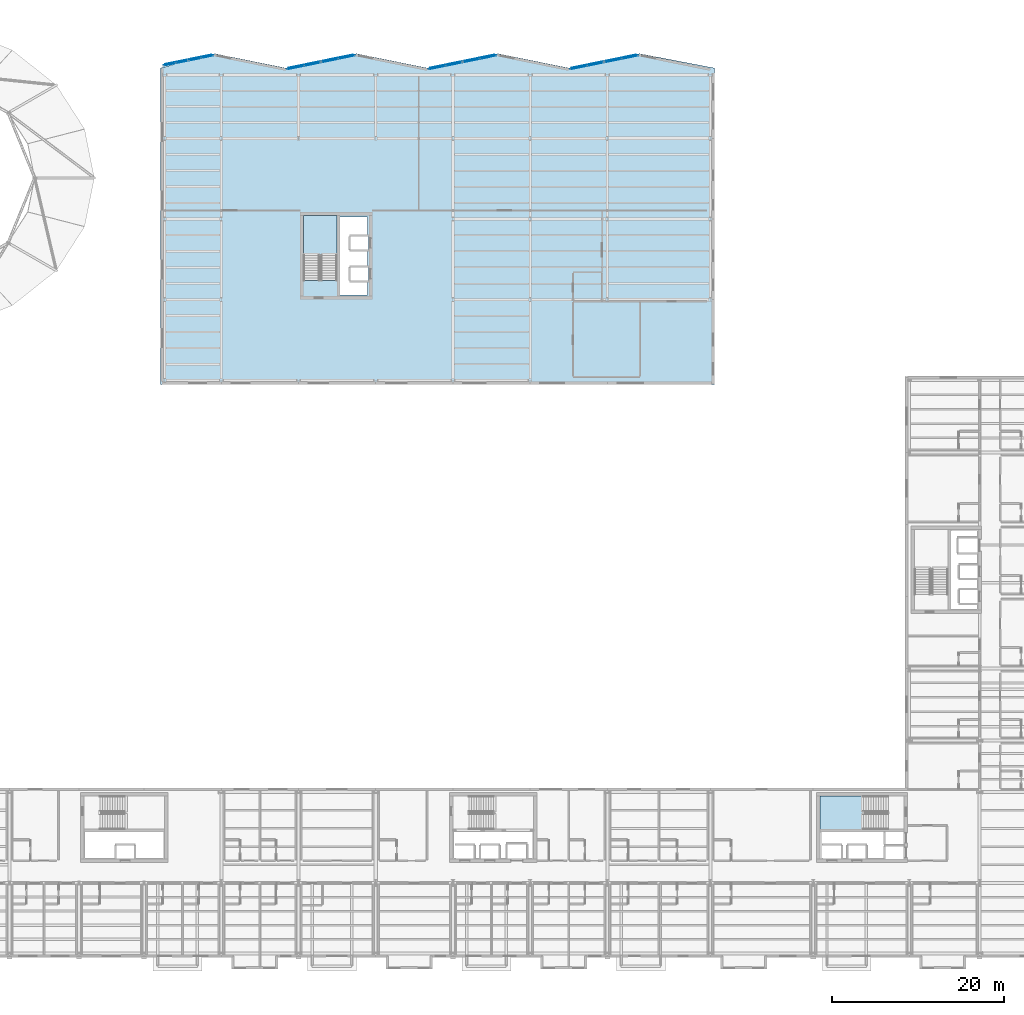
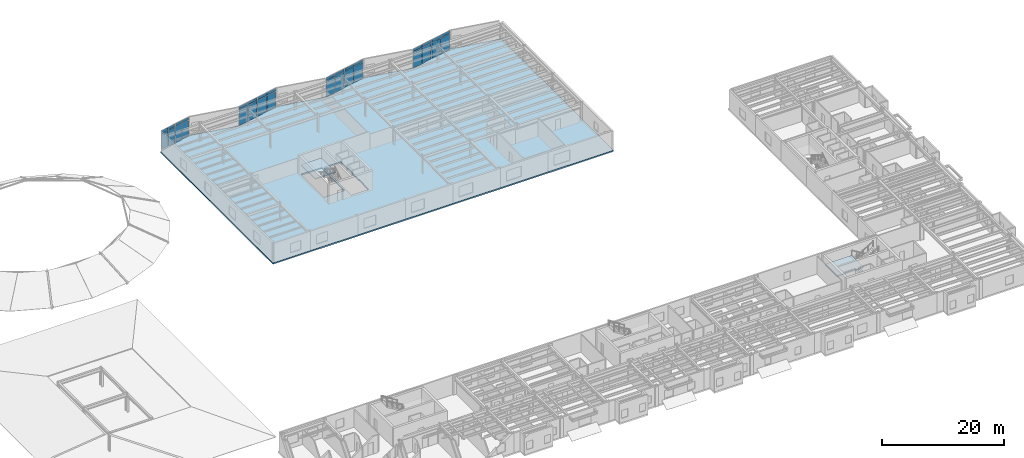
# One storey, part 21 of 46: 36 plates, 3 slabs, 10 elements without a shape of their own.
"""IFC4 building model written with IfcOpenShell, lengths in metres."""

from ifc_helpers import new_model, si_unit, direction, frame, origin, origin_2d, place, context, subcontext, project, spatial, polyline, rectangle, outline, extrude, material, layer, layer_set, type_object, element, aggregate, save


model = new_model("IFC4")

# Units and contexts
model_context = context("Model", 3, precision=1e-05, world=origin(), true_north=direction((0.0, 1.0)))
body_context = subcontext(model_context, "Body", "Model", "MODEL_VIEW")
ifc_project = project(units=[si_unit("LENGTHUNIT", "METRE"), si_unit("AREAUNIT", "SQUARE_METRE"), si_unit("VOLUMEUNIT", "CUBIC_METRE"), si_unit("PLANEANGLEUNIT", "RADIAN"), si_unit("MASSUNIT", "GRAM", prefix="KILO")], contexts=[model_context])

# Site, building, storey
site_placement = place(None, origin())
site = spatial("IfcSite", under=ifc_project, at=site_placement, CompositionType="ELEMENT")
building_placement = place(site_placement, origin())
building = spatial("IfcBuilding", under=site, at=building_placement, Name="Sollismere Congress Hotel", CompositionType="ELEMENT")
storey_placement = place(building_placement, frame((0.0, 0.0, 19.5)))
storey = spatial("IfcBuildingStorey", under=building, at=storey_placement, Name="L04", CompositionType="ELEMENT", Elevation=19.5)

# Curtain wall, plates
ifc_material_1 = material(Name="Anodized Bronze Curtain Wall & Low-E Triple Glazing", Category="glass")
ifc_layer_1 = layer(ifc_material_1, 0.199951171875, Name="Anodized Bronze Curtain Wall & Low-E Triple Glazing")
ifc_layer_set_1 = layer_set([ifc_layer_1], Name="Anodized Bronze Curtain Wall & Low-E Triple Glazing")
curtain_wall_type = type_object("IfcCurtainWallType", Name="CW-GLZ36", PredefinedType="USERDEFINED", material=ifc_layer_set_1)
curtain_wall_1_placement = place(storey_placement, origin())
curtain_wall_1 = element("IfcCurtainWall", 1, at=curtain_wall_1_placement, inside=storey, type_object=curtain_wall_type, Name="Unitised curtain wall CW-L04-113", ObjectType="UNITISED CURTAIN WALL", PredefinedType="USERDEFINED")
ifc_material_2 = material(Name="Blue-Tinted Solar-Control Low-E Vision Glass", Category="glass")
ifc_layer_2 = layer(ifc_material_2, 0.035888671875, Name="Blue-Tinted Solar-Control Low-E Vision Glass")
ifc_layer_set_2 = layer_set([ifc_layer_2], Name="Blue-Tinted Solar-Control Low-E Vision Glass")
plate_type_1 = type_object("IfcPlateType", Name="PL-CWGLZ", PredefinedType="CURTAIN_PANEL", material=ifc_layer_set_2)
plate_1_placement = place(storey_placement, frame((60.9755859375, 103.62548828125, 0.052978515625), z_axis=(0.0, 0.0, 1.0), x_axis=(0.979924704621, 0.199367934417, 0.0)))
plate_1 = element("IfcPlate", 2, at=plate_1_placement, type_object=plate_type_1, Name="CWL-CW-L04-113-VP01", PredefinedType="CURTAIN_PANEL", context=body_context, shape_type="SweptSolid", body=[
    extrude(rectangle(XDim=1.419921875, YDim=0.035888671875, at=origin_2d()), origin(), (0.0, 0.0, 1.0), 3.1650390625),
])
plate_2_placement = place(storey_placement, frame((62.4169921875, 103.918701171875, 0.052978515625), z_axis=(0.0, 0.0, 1.0), x_axis=(0.979924704621, 0.199367934417, 0.0)))
plate_2 = element("IfcPlate", 3, at=plate_2_placement, type_object=plate_type_1, Name="CWL-CW-L04-113-VP02", PredefinedType="CURTAIN_PANEL", context=body_context, shape_type="SweptSolid", body=[
    extrude(rectangle(XDim=1.419921875, YDim=0.035888671875, at=origin_2d()), origin(), (0.0, 0.0, 1.0), 3.1650390625),
])

curtain_wall_2_placement = place(storey_placement, origin())
curtain_wall_2 = element("IfcCurtainWall", 4, at=curtain_wall_2_placement, inside=storey, type_object=curtain_wall_type, Name="Unitised curtain wall CW-L04-114", ObjectType="UNITISED CURTAIN WALL", PredefinedType="USERDEFINED")
plate_3_placement = place(storey_placement, frame((63.93310546875, 104.22705078125, 0.052978515625), z_axis=(0.0, 0.0, 1.0), x_axis=(0.979924704621, 0.199367934417, 0.0)))
plate_3 = element("IfcPlate", 5, at=plate_3_placement, type_object=plate_type_1, Name="CWL-CW-L04-114-VP01", PredefinedType="CURTAIN_PANEL", context=body_context, shape_type="SweptSolid", body=[
    extrude(rectangle(XDim=1.419921875, YDim=0.035888671875, at=origin_2d()), origin(), (0.0, 0.0, 1.0), 3.1650390625),
])
plate_4_placement = place(storey_placement, frame((65.37451171875, 104.5205078125, 0.052978515625), z_axis=(0.0, 0.0, 1.0), x_axis=(0.979924704621, 0.199367934417, 0.0)))
plate_4 = element("IfcPlate", 6, at=plate_4_placement, type_object=plate_type_1, Name="CWL-CW-L04-114-VP02", PredefinedType="CURTAIN_PANEL", context=body_context, shape_type="SweptSolid", body=[
    extrude(rectangle(XDim=1.419921875, YDim=0.035888671875, at=origin_2d()), origin(), (0.0, 0.0, 1.0), 3.1650390625),
])

curtain_wall_3_placement = place(storey_placement, origin())
curtain_wall_3 = element("IfcCurtainWall", 7, at=curtain_wall_3_placement, inside=storey, type_object=curtain_wall_type, Name="Unitised curtain wall CW-L04-115", ObjectType="UNITISED CURTAIN WALL", PredefinedType="USERDEFINED")
plate_5_placement = place(storey_placement, frame((75.63818359375, 103.25146484375, 0.052978515625), z_axis=(0.0, 0.0, 1.0), x_axis=(0.979924704621, 0.199367934417, 0.0)))
plate_5 = element("IfcPlate", 8, at=plate_5_placement, type_object=plate_type_1, Name="CWL-CW-L04-115-VP01", PredefinedType="CURTAIN_PANEL", context=body_context, shape_type="SweptSolid", body=[
    extrude(rectangle(XDim=1.955810546875, YDim=0.035888671875, at=origin_2d()), origin(), (0.0, 0.0, 1.0), 3.1650390625),
])
plate_6_placement = place(storey_placement, frame((77.6044921875, 103.651611328125, 0.052978515625), z_axis=(0.0, 0.0, 1.0), x_axis=(0.979924704621, 0.199367934417, 0.0)))
plate_6 = element("IfcPlate", 9, at=plate_6_placement, type_object=plate_type_1, Name="CWL-CW-L04-115-VP02", PredefinedType="CURTAIN_PANEL", context=body_context, shape_type="SweptSolid", body=[
    extrude(rectangle(XDim=1.955810546875, YDim=0.035888671875, at=origin_2d()), origin(), (0.0, 0.0, 1.0), 3.1650390625),
])

curtain_wall_4_placement = place(storey_placement, origin())
curtain_wall_4 = element("IfcCurtainWall", 10, at=curtain_wall_4_placement, inside=storey, type_object=curtain_wall_type, Name="Unitised curtain wall CW-L04-116", ObjectType="UNITISED CURTAIN WALL", PredefinedType="USERDEFINED")
plate_7_placement = place(storey_placement, frame((79.6455078125, 104.06689453125, 0.052978515625), z_axis=(0.0, 0.0, 1.0), x_axis=(0.979924704621, 0.199367934417, 0.0)))
plate_7 = element("IfcPlate", 11, at=plate_7_placement, type_object=plate_type_1, Name="CWL-CW-L04-116-VP01", PredefinedType="CURTAIN_PANEL", context=body_context, shape_type="SweptSolid", body=[
    extrude(rectangle(XDim=1.955810546875, YDim=0.035888671875, at=origin_2d()), origin(), (0.0, 0.0, 1.0), 3.1650390625),
])
plate_8_placement = place(storey_placement, frame((81.61181640625, 104.467041015625, 0.052978515625), z_axis=(0.0, 0.0, 1.0), x_axis=(0.979924704621, 0.199367934417, 0.0)))
plate_8 = element("IfcPlate", 12, at=plate_8_placement, type_object=plate_type_1, Name="CWL-CW-L04-116-VP02", PredefinedType="CURTAIN_PANEL", context=body_context, shape_type="SweptSolid", body=[
    extrude(rectangle(XDim=1.955810546875, YDim=0.035888671875, at=origin_2d()), origin(), (0.0, 0.0, 1.0), 3.1650390625),
])

curtain_wall_5_placement = place(storey_placement, origin())
curtain_wall_5 = element("IfcCurtainWall", 13, at=curtain_wall_5_placement, inside=storey, type_object=curtain_wall_type, Name="Unitised curtain wall CW-L04-117", ObjectType="UNITISED CURTAIN WALL", PredefinedType="USERDEFINED")
plate_9_placement = place(storey_placement, frame((92.13818359375, 103.25146484375, 0.052978515625), z_axis=(0.0, 0.0, 1.0), x_axis=(0.979924704621, 0.199367934417, 0.0)))
plate_9 = element("IfcPlate", 14, at=plate_9_placement, type_object=plate_type_1, Name="CWL-CW-L04-117-VP01", PredefinedType="CURTAIN_PANEL", context=body_context, shape_type="SweptSolid", body=[
    extrude(rectangle(XDim=1.955810546875, YDim=0.035888671875, at=origin_2d()), origin(), (0.0, 0.0, 1.0), 3.1650390625),
])
plate_10_placement = place(storey_placement, frame((94.1044921875, 103.651611328125, 0.052978515625), z_axis=(0.0, 0.0, 1.0), x_axis=(0.979924704621, 0.199367934417, 0.0)))
plate_10 = element("IfcPlate", 15, at=plate_10_placement, type_object=plate_type_1, Name="CWL-CW-L04-117-VP02", PredefinedType="CURTAIN_PANEL", context=body_context, shape_type="SweptSolid", body=[
    extrude(rectangle(XDim=1.955810546875, YDim=0.035888671875, at=origin_2d()), origin(), (0.0, 0.0, 1.0), 3.1650390625),
])

curtain_wall_6_placement = place(storey_placement, origin())
curtain_wall_6 = element("IfcCurtainWall", 16, at=curtain_wall_6_placement, inside=storey, type_object=curtain_wall_type, Name="Unitised curtain wall CW-L04-118", ObjectType="UNITISED CURTAIN WALL", PredefinedType="USERDEFINED")
plate_11_placement = place(storey_placement, frame((96.1455078125, 104.06689453125, 0.052978515625), z_axis=(0.0, 0.0, 1.0), x_axis=(0.979924704621, 0.199367934417, 0.0)))
plate_11 = element("IfcPlate", 17, at=plate_11_placement, type_object=plate_type_1, Name="CWL-CW-L04-118-VP01", PredefinedType="CURTAIN_PANEL", context=body_context, shape_type="SweptSolid", body=[
    extrude(rectangle(XDim=1.955810546875, YDim=0.035888671875, at=origin_2d()), origin(), (0.0, 0.0, 1.0), 3.1650390625),
])
plate_12_placement = place(storey_placement, frame((98.11181640625, 104.467041015625, 0.052978515625), z_axis=(0.0, 0.0, 1.0), x_axis=(0.979924704621, 0.199367934417, 0.0)))
plate_12 = element("IfcPlate", 18, at=plate_12_placement, type_object=plate_type_1, Name="CWL-CW-L04-118-VP02", PredefinedType="CURTAIN_PANEL", context=body_context, shape_type="SweptSolid", body=[
    extrude(rectangle(XDim=1.955810546875, YDim=0.035888671875, at=origin_2d()), origin(), (0.0, 0.0, 1.0), 3.1650390625),
])

curtain_wall_7_placement = place(storey_placement, origin())
curtain_wall_7 = element("IfcCurtainWall", 19, at=curtain_wall_7_placement, inside=storey, type_object=curtain_wall_type, Name="Unitised curtain wall CW-L04-119", ObjectType="UNITISED CURTAIN WALL", PredefinedType="USERDEFINED")
plate_13_placement = place(storey_placement, frame((108.63818359375, 103.25146484375, 0.052978515625), z_axis=(0.0, 0.0, 1.0), x_axis=(0.979924704621, 0.199367934417, 0.0)))
plate_13 = element("IfcPlate", 20, at=plate_13_placement, type_object=plate_type_1, Name="CWL-CW-L04-119-VP01", PredefinedType="CURTAIN_PANEL", context=body_context, shape_type="SweptSolid", body=[
    extrude(rectangle(XDim=1.955810546875, YDim=0.035888671875, at=origin_2d()), origin(), (0.0, 0.0, 1.0), 3.1650390625),
])
plate_14_placement = place(storey_placement, frame((110.6044921875, 103.651611328125, 0.052978515625), z_axis=(0.0, 0.0, 1.0), x_axis=(0.979924704621, 0.199367934417, 0.0)))
plate_14 = element("IfcPlate", 21, at=plate_14_placement, type_object=plate_type_1, Name="CWL-CW-L04-119-VP02", PredefinedType="CURTAIN_PANEL", context=body_context, shape_type="SweptSolid", body=[
    extrude(rectangle(XDim=1.955810546875, YDim=0.035888671875, at=origin_2d()), origin(), (0.0, 0.0, 1.0), 3.1650390625),
])

curtain_wall_8_placement = place(storey_placement, origin())
curtain_wall_8 = element("IfcCurtainWall", 22, at=curtain_wall_8_placement, inside=storey, type_object=curtain_wall_type, Name="Unitised curtain wall CW-L04-120", ObjectType="UNITISED CURTAIN WALL", PredefinedType="USERDEFINED")
plate_15_placement = place(storey_placement, frame((112.6455078125, 104.06689453125, 0.052978515625), z_axis=(0.0, 0.0, 1.0), x_axis=(0.979924704621, 0.199367934417, 0.0)))
plate_15 = element("IfcPlate", 23, at=plate_15_placement, type_object=plate_type_1, Name="CWL-CW-L04-120-VP01", PredefinedType="CURTAIN_PANEL", context=body_context, shape_type="SweptSolid", body=[
    extrude(rectangle(XDim=1.955810546875, YDim=0.035888671875, at=origin_2d()), origin(), (0.0, 0.0, 1.0), 3.1650390625),
])
plate_16_placement = place(storey_placement, frame((114.61181640625, 104.467041015625, 0.052978515625), z_axis=(0.0, 0.0, 1.0), x_axis=(0.979924704621, 0.199367934417, 0.0)))
plate_16 = element("IfcPlate", 24, at=plate_16_placement, type_object=plate_type_1, Name="CWL-CW-L04-120-VP02", PredefinedType="CURTAIN_PANEL", context=body_context, shape_type="SweptSolid", body=[
    extrude(rectangle(XDim=1.955810546875, YDim=0.035888671875, at=origin_2d()), origin(), (0.0, 0.0, 1.0), 3.1650390625),
])

# Plate
ifc_material_3 = material(Name="Anodized Bronze Insulated Spandrel Panel")
ifc_layer_3 = layer(ifc_material_3, 0.044921875, Name="Anodized Bronze Insulated Spandrel Panel")
ifc_layer_set_3 = layer_set([ifc_layer_3], Name="Anodized Bronze Insulated Spandrel Panel")
plate_type_2 = type_object("IfcPlateType", Name="PL-CWSPN", PredefinedType="SHEET", material=ifc_layer_set_3)
plate_17_placement = place(storey_placement, frame((60.9755859375, 103.62548828125, 3.333984375), z_axis=(0.0, 0.0, 1.0), x_axis=(0.979924704621, 0.199367934417, 0.0)))
plate_17 = element("IfcPlate", 25, at=plate_17_placement, type_object=plate_type_2, Name="CWL-CW-L04-113-SP01", PredefinedType="SHEET", context=body_context, shape_type="SweptSolid", body=[
    extrude(rectangle(XDim=1.419921875, YDim=0.044921875, at=origin_2d()), origin(), (0.0, 0.0, 1.0), 0.512939453125),
])

plate_18_placement = place(storey_placement, frame((62.4169921875, 103.918701171875, 3.333984375), z_axis=(0.0, 0.0, 1.0), x_axis=(0.979924704621, 0.199367934417, 0.0)))
plate_18 = element("IfcPlate", 26, at=plate_18_placement, type_object=plate_type_2, Name="CWL-CW-L04-113-SP02", PredefinedType="SHEET", context=body_context, shape_type="SweptSolid", body=[
    extrude(rectangle(XDim=1.419921875, YDim=0.044921875, at=origin_2d()), origin(), (0.0, 0.0, 1.0), 0.512939453125),
])

aggregate(curtain_wall_1, [plate_1, plate_17, plate_2, plate_18])

plate_19_placement = place(storey_placement, frame((63.93310546875, 104.22705078125, 3.333984375), z_axis=(0.0, 0.0, 1.0), x_axis=(0.979924704621, 0.199367934417, 0.0)))
plate_19 = element("IfcPlate", 27, at=plate_19_placement, type_object=plate_type_2, Name="CWL-CW-L04-114-SP01", PredefinedType="SHEET", context=body_context, shape_type="SweptSolid", body=[
    extrude(rectangle(XDim=1.419921875, YDim=0.044921875, at=origin_2d()), origin(), (0.0, 0.0, 1.0), 0.512939453125),
])

plate_20_placement = place(storey_placement, frame((65.37451171875, 104.5205078125, 3.333984375), z_axis=(0.0, 0.0, 1.0), x_axis=(0.979924704621, 0.199367934417, 0.0)))
plate_20 = element("IfcPlate", 28, at=plate_20_placement, type_object=plate_type_2, Name="CWL-CW-L04-114-SP02", PredefinedType="SHEET", context=body_context, shape_type="SweptSolid", body=[
    extrude(rectangle(XDim=1.419921875, YDim=0.044921875, at=origin_2d()), origin(), (0.0, 0.0, 1.0), 0.512939453125),
])

aggregate(curtain_wall_2, [plate_3, plate_19, plate_4, plate_20])

plate_21_placement = place(storey_placement, frame((75.63818359375, 103.25146484375, 3.333984375), z_axis=(0.0, 0.0, 1.0), x_axis=(0.979924704621, 0.199367934417, 0.0)))
plate_21 = element("IfcPlate", 29, at=plate_21_placement, type_object=plate_type_2, Name="CWL-CW-L04-115-SP01", PredefinedType="SHEET", context=body_context, shape_type="SweptSolid", body=[
    extrude(rectangle(XDim=1.955810546875, YDim=0.044921875, at=origin_2d()), origin(), (0.0, 0.0, 1.0), 0.512939453125),
])

plate_22_placement = place(storey_placement, frame((77.6044921875, 103.651611328125, 3.333984375), z_axis=(0.0, 0.0, 1.0), x_axis=(0.979924704621, 0.199367934417, 0.0)))
plate_22 = element("IfcPlate", 30, at=plate_22_placement, type_object=plate_type_2, Name="CWL-CW-L04-115-SP02", PredefinedType="SHEET", context=body_context, shape_type="SweptSolid", body=[
    extrude(rectangle(XDim=1.955810546875, YDim=0.044921875, at=origin_2d()), origin(), (0.0, 0.0, 1.0), 0.512939453125),
])

aggregate(curtain_wall_3, [plate_5, plate_21, plate_6, plate_22])

plate_23_placement = place(storey_placement, frame((79.6455078125, 104.06689453125, 3.333984375), z_axis=(0.0, 0.0, 1.0), x_axis=(0.979924704621, 0.199367934417, 0.0)))
plate_23 = element("IfcPlate", 31, at=plate_23_placement, type_object=plate_type_2, Name="CWL-CW-L04-116-SP01", PredefinedType="SHEET", context=body_context, shape_type="SweptSolid", body=[
    extrude(rectangle(XDim=1.955810546875, YDim=0.044921875, at=origin_2d()), origin(), (0.0, 0.0, 1.0), 0.512939453125),
])

plate_24_placement = place(storey_placement, frame((81.61181640625, 104.467041015625, 3.333984375), z_axis=(0.0, 0.0, 1.0), x_axis=(0.979924704621, 0.199367934417, 0.0)))
plate_24 = element("IfcPlate", 32, at=plate_24_placement, type_object=plate_type_2, Name="CWL-CW-L04-116-SP02", PredefinedType="SHEET", context=body_context, shape_type="SweptSolid", body=[
    extrude(rectangle(XDim=1.955810546875, YDim=0.044921875, at=origin_2d()), origin(), (0.0, 0.0, 1.0), 0.512939453125),
])

aggregate(curtain_wall_4, [plate_7, plate_23, plate_8, plate_24])

plate_25_placement = place(storey_placement, frame((92.13818359375, 103.25146484375, 3.333984375), z_axis=(0.0, 0.0, 1.0), x_axis=(0.979924704621, 0.199367934417, 0.0)))
plate_25 = element("IfcPlate", 33, at=plate_25_placement, type_object=plate_type_2, Name="CWL-CW-L04-117-SP01", PredefinedType="SHEET", context=body_context, shape_type="SweptSolid", body=[
    extrude(rectangle(XDim=1.955810546875, YDim=0.044921875, at=origin_2d()), origin(), (0.0, 0.0, 1.0), 0.512939453125),
])

plate_26_placement = place(storey_placement, frame((94.1044921875, 103.651611328125, 3.333984375), z_axis=(0.0, 0.0, 1.0), x_axis=(0.979924704621, 0.199367934417, 0.0)))
plate_26 = element("IfcPlate", 34, at=plate_26_placement, type_object=plate_type_2, Name="CWL-CW-L04-117-SP02", PredefinedType="SHEET", context=body_context, shape_type="SweptSolid", body=[
    extrude(rectangle(XDim=1.955810546875, YDim=0.044921875, at=origin_2d()), origin(), (0.0, 0.0, 1.0), 0.512939453125),
])

aggregate(curtain_wall_5, [plate_9, plate_25, plate_10, plate_26])

plate_27_placement = place(storey_placement, frame((96.1455078125, 104.06689453125, 3.333984375), z_axis=(0.0, 0.0, 1.0), x_axis=(0.979924704621, 0.199367934417, 0.0)))
plate_27 = element("IfcPlate", 35, at=plate_27_placement, type_object=plate_type_2, Name="CWL-CW-L04-118-SP01", PredefinedType="SHEET", context=body_context, shape_type="SweptSolid", body=[
    extrude(rectangle(XDim=1.955810546875, YDim=0.044921875, at=origin_2d()), origin(), (0.0, 0.0, 1.0), 0.512939453125),
])

plate_28_placement = place(storey_placement, frame((98.11181640625, 104.467041015625, 3.333984375), z_axis=(0.0, 0.0, 1.0), x_axis=(0.979924704621, 0.199367934417, 0.0)))
plate_28 = element("IfcPlate", 36, at=plate_28_placement, type_object=plate_type_2, Name="CWL-CW-L04-118-SP02", PredefinedType="SHEET", context=body_context, shape_type="SweptSolid", body=[
    extrude(rectangle(XDim=1.955810546875, YDim=0.044921875, at=origin_2d()), origin(), (0.0, 0.0, 1.0), 0.512939453125),
])

aggregate(curtain_wall_6, [plate_11, plate_27, plate_12, plate_28])

plate_29_placement = place(storey_placement, frame((108.63818359375, 103.25146484375, 3.333984375), z_axis=(0.0, 0.0, 1.0), x_axis=(0.979924704621, 0.199367934417, 0.0)))
plate_29 = element("IfcPlate", 37, at=plate_29_placement, type_object=plate_type_2, Name="CWL-CW-L04-119-SP01", PredefinedType="SHEET", context=body_context, shape_type="SweptSolid", body=[
    extrude(rectangle(XDim=1.955810546875, YDim=0.044921875, at=origin_2d()), origin(), (0.0, 0.0, 1.0), 0.512939453125),
])

plate_30_placement = place(storey_placement, frame((110.6044921875, 103.651611328125, 3.333984375), z_axis=(0.0, 0.0, 1.0), x_axis=(0.979924704621, 0.199367934417, 0.0)))
plate_30 = element("IfcPlate", 38, at=plate_30_placement, type_object=plate_type_2, Name="CWL-CW-L04-119-SP02", PredefinedType="SHEET", context=body_context, shape_type="SweptSolid", body=[
    extrude(rectangle(XDim=1.955810546875, YDim=0.044921875, at=origin_2d()), origin(), (0.0, 0.0, 1.0), 0.512939453125),
])

aggregate(curtain_wall_7, [plate_13, plate_29, plate_14, plate_30])

plate_31_placement = place(storey_placement, frame((112.6455078125, 104.06689453125, 3.333984375), z_axis=(0.0, 0.0, 1.0), x_axis=(0.979924704621, 0.199367934417, 0.0)))
plate_31 = element("IfcPlate", 39, at=plate_31_placement, type_object=plate_type_2, Name="CWL-CW-L04-120-SP01", PredefinedType="SHEET", context=body_context, shape_type="SweptSolid", body=[
    extrude(rectangle(XDim=1.955810546875, YDim=0.044921875, at=origin_2d()), origin(), (0.0, 0.0, 1.0), 0.512939453125),
])

plate_32_placement = place(storey_placement, frame((114.61181640625, 104.467041015625, 3.333984375), z_axis=(0.0, 0.0, 1.0), x_axis=(0.979924704621, 0.199367934417, 0.0)))
plate_32 = element("IfcPlate", 40, at=plate_32_placement, type_object=plate_type_2, Name="CWL-CW-L04-120-SP02", PredefinedType="SHEET", context=body_context, shape_type="SweptSolid", body=[
    extrude(rectangle(XDim=1.955810546875, YDim=0.044921875, at=origin_2d()), origin(), (0.0, 0.0, 1.0), 0.512939453125),
])

aggregate(curtain_wall_8, [plate_15, plate_31, plate_16, plate_32])

# Plates
ifc_material_4 = material(Name="Perforated Architectural Bronze Sebeke Screen")
ifc_layer_4 = layer(ifc_material_4, 0.0380859375, Name="Perforated Architectural Bronze Sebeke Screen")
ifc_layer_set_4 = layer_set([ifc_layer_4], Name="Perforated Architectural Bronze Sebeke Screen")
plate_type_3 = type_object("IfcPlateType", Name="PL-SBK32", PredefinedType="USERDEFINED", material=ifc_layer_set_4)
plate_33_placement = place(storey_placement, frame((63.151123046875, 104.1904296875, 1.263671875), z_axis=(0.0, 0.0, 1.0), x_axis=(0.979924704621, 0.199367934417, 0.0)))
element("IfcPlate", 41, at=plate_33_placement, inside=storey, type_object=plate_type_3, Name="PLT-SBK-018", ObjectType="PERFORATED SCREEN", PredefinedType="USERDEFINED", context=body_context, shape_type="SweptSolid", body=[
    extrude(rectangle(XDim=5.47607421875, YDim=0.0380859375, at=origin_2d()), origin(), (0.0, 0.0, 1.0), 1.948974609375),
])
for number, where, z_axis, x_axis, name in (
    (42, (78.60107421875, 103.976806640625, 1.263671875), (0.0, 0.0, 1.0), (0.979924704621, 0.199367934417, 0.0), "PLT-SBK-019"),
    (43, (95.10107421875, 103.976806640625, 1.263671875), (0.0, 0.0, 1.0), (0.979924704621, 0.199367934417, 0.0), "PLT-SBK-020"),
    (44, (111.60107421875, 103.976806640625, 1.263671875), (0.0, 0.0, 1.0), (0.979924704621, 0.199367934417, 0.0), "PLT-SBK-021"),
):
    element("IfcPlate", number, at=place(storey_placement, frame(where, z_axis=z_axis, x_axis=x_axis)), inside=storey, type_object=plate_type_3, Name=name, ObjectType="PERFORATED SCREEN", PredefinedType="USERDEFINED", context=body_context, shape_type="SweptSolid", body=[
        extrude(rectangle(XDim=7.618896484375, YDim=0.0380859375, at=origin_2d()), origin(), (0.0, 0.0, 1.0), 1.948974609375),
    ])

# Slab
ifc_material_5 = material(Name="Concrete C40/50", Category="concrete")
ifc_layer_5 = layer(ifc_material_5, 0.27490234375, Name="Concrete C40/50")
ifc_layer_set_5 = layer_set([ifc_layer_5], Name="Concrete C40/50")
slab_type_1 = type_object("IfcSlabType", Name="SL-FLR275", PredefinedType="FLOOR", material=ifc_layer_set_5)
slab_1_placement = place(storey_placement, frame((0.0, 0.0, -0.27490234375)))
element("IfcSlab", 45, at=slab_1_placement, inside=storey, type_object=slab_type_1, Name="Slab SL-L04-V2", PredefinedType="FLOOR", context=body_context, shape_type="SweptSolid", body=[
    extrude(outline(polyline([(124.47998046875, 66.320068359375), (124.47998046875, 66.85009765625), (124.47998046875, 103.199951171875), (115.75, 104.87841796875), (107.5, 103.199951171875), (99.25, 104.87841796875), (91.0, 103.199951171875), (82.75, 104.87841796875), (74.5, 103.199951171875), (66.25, 104.87841796875), (59.919921875, 103.199951171875), (59.919921875, 66.800048828125), (59.919921875, 66.320068359375), (124.47998046875, 66.320068359375)]), holes=[polyline([(84.06005859375, 76.739990234375), (80.77001953125, 76.739990234375), (80.77001953125, 85.860107421875), (84.06005859375, 85.860107421875), (84.06005859375, 83.570068359375), (84.14501953125, 83.570068359375), (84.14501953125, 82.030029296875), (84.06005859375, 82.030029296875), (84.06005859375, 79.969970703125), (84.14501953125, 79.969970703125), (84.14501953125, 78.429931640625), (84.06005859375, 78.429931640625), (84.06005859375, 76.739990234375)]), polyline([(76.60009765625, 86.0), (80.5, 86.0), (80.5, 78.45068359375), (76.60009765625, 78.45068359375), (76.60009765625, 86.0)])]), origin(), (0.0, 0.0, 1.0), 0.27490234375),
])

# Stair, slab
stair_type = type_object("IfcStairType", Name="STR-DL-390", PredefinedType="HALF_TURN_STAIR", material=ifc_material_5)
stair_1_placement = place(storey_placement, origin())
stair_1 = element("IfcStair", 46, at=stair_1_placement, inside=storey, type_object=stair_type, Name="Protected exit stair ST-01-L04", PredefinedType="HALF_TURN_STAIR")
ifc_layer_6 = layer(ifc_material_5, 0.199951171875, Name="Concrete C40/50")
ifc_layer_set_6 = layer_set([ifc_layer_6], Name="Concrete C40/50")
slab_type_2 = type_object("IfcSlabType", Name="SL-LND200", PredefinedType="LANDING", material=ifc_layer_set_6)
slab_2_placement = place(storey_placement, frame((0.0, 0.0, 1.75)))
slab_2 = element("IfcSlab", 47, at=slab_2_placement, type_object=slab_type_2, Name="Exit stair half-landing ST-01-L04-L1", PredefinedType="LANDING", context=body_context, shape_type="SweptSolid", body=[
    extrude(outline(polyline([(141.85009765625, 18.35009765625), (136.800048828125, 18.35009765625), (136.800048828125, 14.449951171875), (141.85009765625, 14.449951171875), (141.85009765625, 18.35009765625)])), origin(), (0.0, 0.0, 1.0), 0.199951171875),
])
aggregate(stair_1, [slab_2])

stair_2_placement = place(storey_placement, origin())
stair_2 = element("IfcStair", 48, at=stair_2_placement, inside=storey, type_object=stair_type, Name="Protected exit stair ST-04-L04", PredefinedType="HALF_TURN_STAIR")
slab_3_placement = place(storey_placement, frame((0.0, 0.0, 1.75)))
slab_3 = element("IfcSlab", 49, at=slab_3_placement, type_object=slab_type_2, Name="Exit stair half-landing ST-04-L04-L1", PredefinedType="LANDING", context=body_context, shape_type="SweptSolid", body=[
    extrude(outline(polyline([(80.5, 81.35009765625), (80.5, 86.0), (76.60009765625, 86.0), (76.60009765625, 81.35009765625), (80.5, 81.35009765625)])), origin(), (0.0, 0.0, 1.0), 0.199951171875),
])
aggregate(stair_2, [slab_3])

save(model, "model.ifc")
